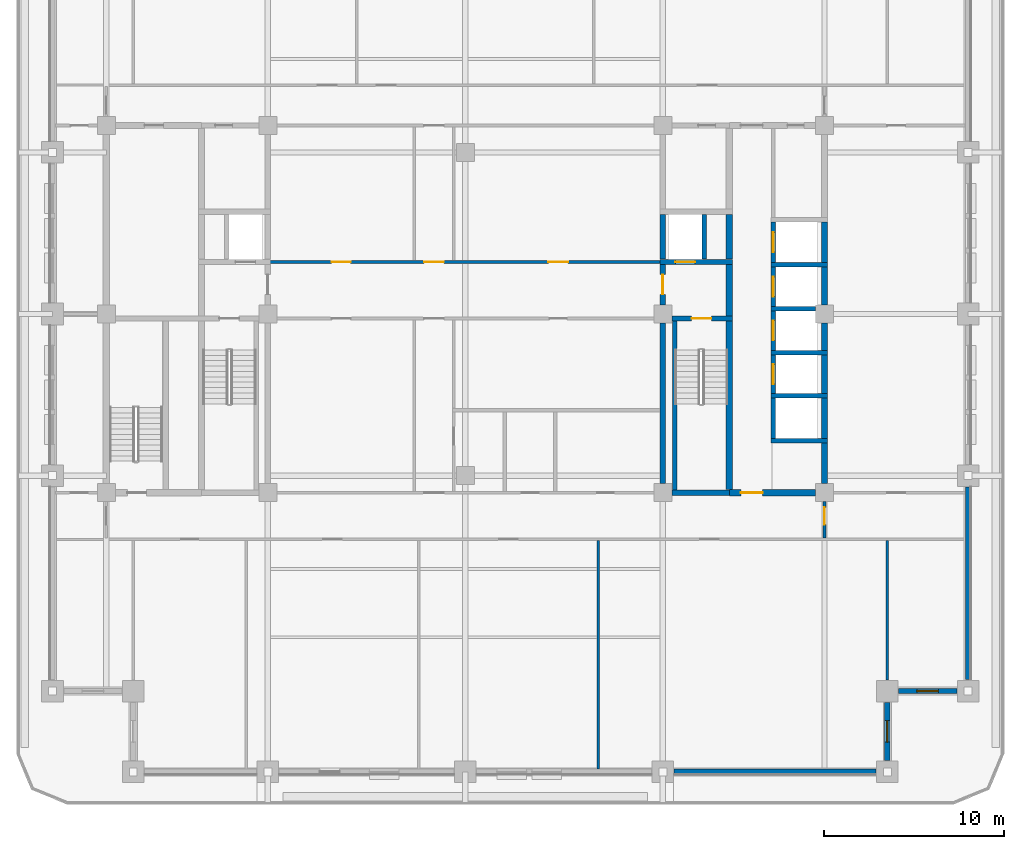
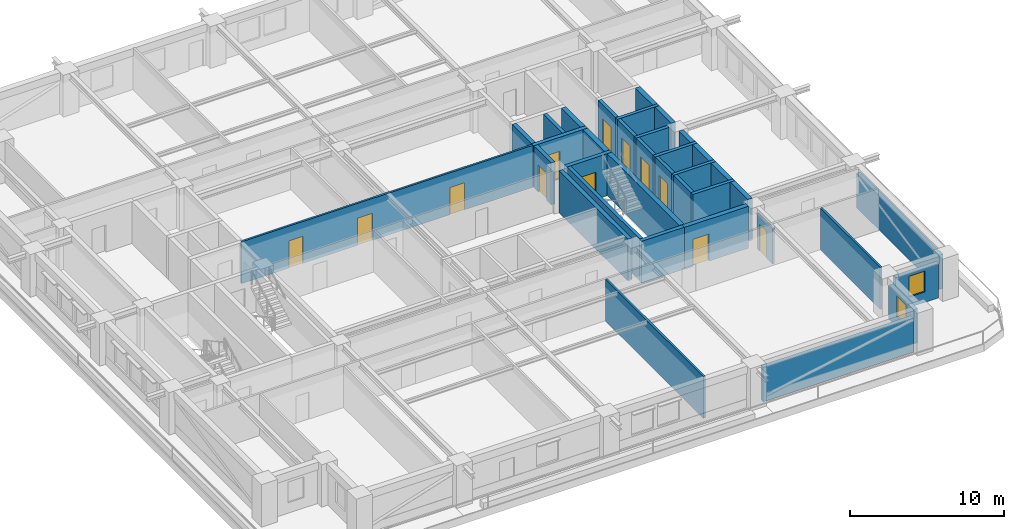
# One storey, part 4 of 13: 36 walls, 12 doors, 2 windows, 14 openings.
"""IFC4 building model written with IfcOpenShell, lengths in metres."""

from ifc_helpers import new_model, si_unit, direction, frame, frame_2d, origin, place, context, subcontext, project, spatial, rectangle, extrude, material, layer, layer_set, type_object, element, fill, save


model = new_model("IFC4")

# Units and contexts
model_context = context("Model", 3, precision=1e-05, world=origin(), true_north=direction((0.0, 1.0)))
body_context = subcontext(model_context, "Body", "Model", "MODEL_VIEW")
ifc_project = project(units=[si_unit("LENGTHUNIT", "METRE"), si_unit("AREAUNIT", "SQUARE_METRE"), si_unit("VOLUMEUNIT", "CUBIC_METRE"), si_unit("PLANEANGLEUNIT", "RADIAN"), si_unit("MASSUNIT", "GRAM", prefix="KILO")], contexts=[model_context])

# Site, building, storey
site_placement = place(None, origin())
site = spatial("IfcSite", under=ifc_project, at=site_placement, CompositionType="ELEMENT")
building_placement = place(site_placement, origin())
building = spatial("IfcBuilding", under=site, at=building_placement, Name="Zulmaris Gate Convention Tower", CompositionType="ELEMENT")
storey_placement = place(building_placement, frame((0.0, 0.0, 91.35986328125)))
storey = spatial("IfcBuildingStorey", under=building, at=storey_placement, Name="L22", CompositionType="ELEMENT", Elevation=91.35986328125)

# Walls
ifc_material_1 = material(Name="Concrete C50/60", Category="concrete")
ifc_layer_1 = layer(ifc_material_1, 0.25, Name="Concrete C50/60")
ifc_layer_set_1 = layer_set([ifc_layer_1], Name="Concrete C50/60")
wall_type_1 = type_object("IfcWallType", Name="CORE-250", PredefinedType="SOLIDWALL", material=ifc_layer_set_1)
for number, where, z_axis, x_axis, name in (
    (1, (17.02490234375, -7.050048828125, 0.0), (0.0, 0.0, 1.0), (1.0, 0.0, 0.0), "WL-L22-005"),
    (2, (17.02490234375, -4.550048828125, 0.0), (0.0, 0.0, 1.0), (1.0, 0.0, 0.0), "WL-L22-006"),
    (3, (17.02490234375, -2.14990234375, 0.0), (0.0, 0.0, 1.0), (1.0, 0.0, 0.0), "WL-L22-007"),
):
    element("IfcWall", number, at=place(storey_placement, frame(where, z_axis=z_axis, x_axis=x_axis)), inside=storey, type_object=wall_type_1, Name=name, PredefinedType="SOLIDWALL", context=body_context, shape_type="SweptSolid", body=[
        extrude(rectangle(XDim=3.150146484375, YDim=0.25, at=frame_2d((1.5751953125, 0.0))), origin(), (0.0, 0.0, 1.0), 3.320068359375),
    ])
wall_1_placement = place(storey_placement, frame((17.02490234375, 0.300048828125, 0.0), z_axis=(0.0, 0.0, 1.0), x_axis=(1.0, 0.0, 0.0)))
element("IfcWall", 4, at=wall_1_placement, inside=storey, type_object=wall_type_1, Name="WL-L22-010", PredefinedType="SOLIDWALL", context=body_context, shape_type="SweptSolid", body=[
    extrude(rectangle(XDim=2.47119140625, YDim=0.25, at=frame_2d((1.235595703125, 0.0))), origin(), (0.0, 0.0, 1.0), 3.320068359375),
])
wall_2_placement = place(storey_placement, frame((17.02490234375, 2.75, 0.0), z_axis=(0.0, 0.0, 1.0), x_axis=(1.0, 0.0, 0.0)))
element("IfcWall", 5, at=wall_2_placement, inside=storey, type_object=wall_type_1, Name="WL-L22-011", PredefinedType="SOLIDWALL", context=body_context, shape_type="SweptSolid", body=[
    extrude(rectangle(XDim=3.150146484375, YDim=0.25, at=frame_2d((1.5751953125, 0.0))), origin(), (0.0, 0.0, 1.0), 3.320068359375),
])
wall_3_placement = place(storey_placement, frame((11.64990234375, -9.798095703125, 0.0), z_axis=(0.0, 0.0, 1.0), x_axis=(0.0, 1.0, 0.0)))
element("IfcWall", 6, at=wall_3_placement, inside=storey, type_object=wall_type_1, Name="WL-L22-050", PredefinedType="SOLIDWALL", context=body_context, shape_type="SweptSolid", body=[
    extrude(rectangle(XDim=9.39599609375, YDim=0.25, at=frame_2d((4.697998046875, 0.0))), origin(), (0.0, 0.0, 1.0), 3.320068359375),
])
wall_4_placement = place(storey_placement, frame((13.300048828125, 3.052001953125, 0.0), z_axis=(0.0, 0.0, 1.0), x_axis=(0.0, 1.0, 0.0)))
element("IfcWall", 7, at=wall_4_placement, inside=storey, type_object=wall_type_1, Name="WL-L22-051", PredefinedType="SOLIDWALL", context=body_context, shape_type="SweptSolid", body=[
    extrude(rectangle(XDim=2.49609375, YDim=0.25, at=frame_2d((1.248046875, 0.0))), origin(), (0.0, 0.0, 1.0), 3.320068359375),
])
wall_5_placement = place(storey_placement, frame((17.14990234375, -6.923095703125, 0.0), z_axis=(0.0, 0.0, 1.0), x_axis=(0.0, 1.0, 0.0)))
element("IfcWall", 8, at=wall_5_placement, inside=storey, type_object=wall_type_1, Name="WL-L22-056", PredefinedType="SOLIDWALL", context=body_context, shape_type="SweptSolid", body=[
    extrude(rectangle(XDim=2.24609375, YDim=0.25, at=frame_2d((1.123046875, 0.0))), origin(), (0.0, 0.0, 1.0), 3.320068359375),
])

# Wall, opening, door
wall_6_placement = place(storey_placement, frame((17.14990234375, -4.423095703125, 0.0), z_axis=(0.0, 0.0, 1.0), x_axis=(0.0, 1.0, 0.0)))
wall_6 = element("IfcWall", 9, at=wall_6_placement, inside=storey, type_object=wall_type_1, Name="WL-L22-057", PredefinedType="SOLIDWALL", context=body_context, shape_type="SweptSolid", body=[
    extrude(rectangle(XDim=2.14599609375, YDim=0.25, at=frame_2d((1.072998046875, 0.0))), origin(), (0.0, 0.0, 1.0), 3.320068359375),
])
opening_1_placement = place(wall_6_placement, frame((0.52294921875, 0.0, 0.0)))
opening_1 = element("IfcOpeningElement", 10, at=opening_1_placement, cuts=wall_6, Name="Opening D-06", PredefinedType="OPENING", context=body_context, shape_type="SweptSolid", body=[
    extrude(rectangle(XDim=1.10009765625, YDim=2.199951171875, at=frame_2d((0.550048828125, 1.10009765625))), frame((0.0, 0.135009765625, 0.0), z_axis=(0.0, -1.0, 0.0), x_axis=(1.0, 0.0, 0.0)), (0.0, 0.0, 1.0), 0.27001953125),
])
ifc_material_2 = material(Name="Brushed Stainless Steel", Category="steel")
door_type_1 = type_object("IfcDoorType", Name="LD-1100", OperationType="NOTDEFINED", PredefinedType="DOOR", material=ifc_material_2)
door_1_placement = place(opening_1_placement, origin())
door_1 = element("IfcDoor", 11, at=door_1_placement, inside=storey, type_object=door_type_1, Name="L22 Lift Landing Door MP-01 11", OperationType="SLIDING_TO_RIGHT", OverallHeight=2.199951171875, OverallWidth=1.10009765625, PredefinedType="DOOR", context=body_context, shape_type="SweptSolid", body=[
    extrude(rectangle(XDim=1.10009765625, YDim=2.199951171875, at=frame_2d((0.550048828125, 1.10009765625))), frame((0.0, 0.02490234375, 0.0), z_axis=(0.0, -1.0, 0.0), x_axis=(1.0, 0.0, 0.0)), (0.0, 0.0, 1.0), 0.050048828125),
])
fill(opening_1, door_1)

wall_7_placement = place(storey_placement, frame((17.14990234375, -2.02294921875, 0.0), z_axis=(0.0, 0.0, 1.0), x_axis=(0.0, 1.0, 0.0)))
wall_7 = element("IfcWall", 12, at=wall_7_placement, inside=storey, type_object=wall_type_1, Name="WL-L22-058", PredefinedType="SOLIDWALL", context=body_context, shape_type="SweptSolid", body=[
    extrude(rectangle(XDim=2.196044921875, YDim=0.25, at=frame_2d((1.09814453125, 0.0))), origin(), (0.0, 0.0, 1.0), 3.320068359375),
])
opening_2_placement = place(wall_7_placement, frame((0.548095703125, 0.0, 0.0)))
opening_2 = element("IfcOpeningElement", 13, at=opening_2_placement, cuts=wall_7, Name="Opening D-06", PredefinedType="OPENING", context=body_context, shape_type="SweptSolid", body=[
    extrude(rectangle(XDim=1.10009765625, YDim=2.199951171875, at=frame_2d((0.550048828125, 1.10009765625))), frame((0.0, 0.135009765625, 0.0), z_axis=(0.0, -1.0, 0.0), x_axis=(1.0, 0.0, 0.0)), (0.0, 0.0, 1.0), 0.27001953125),
])
door_2_placement = place(opening_2_placement, origin())
door_2 = element("IfcDoor", 14, at=door_2_placement, inside=storey, type_object=door_type_1, Name="L22 Lift Landing Door MP-02 12", OperationType="SLIDING_TO_RIGHT", OverallHeight=2.199951171875, OverallWidth=1.10009765625, PredefinedType="DOOR", context=body_context, shape_type="SweptSolid", body=[
    extrude(rectangle(XDim=1.10009765625, YDim=2.199951171875, at=frame_2d((0.550048828125, 1.10009765625))), frame((0.0, 0.02490234375, 0.0), z_axis=(0.0, -1.0, 0.0), x_axis=(1.0, 0.0, 0.0)), (0.0, 0.0, 1.0), 0.050048828125),
])
fill(opening_2, door_2)

wall_8_placement = place(storey_placement, frame((17.14990234375, 0.427001953125, 0.0), z_axis=(0.0, 0.0, 1.0), x_axis=(0.0, 1.0, 0.0)))
wall_8 = element("IfcWall", 15, at=wall_8_placement, inside=storey, type_object=wall_type_1, Name="WL-L22-059", PredefinedType="SOLIDWALL", context=body_context, shape_type="SweptSolid", body=[
    extrude(rectangle(XDim=2.196044921875, YDim=0.25, at=frame_2d((1.09814453125, 0.0))), origin(), (0.0, 0.0, 1.0), 3.320068359375),
])
opening_3_placement = place(wall_8_placement, frame((0.548095703125, 0.0, 0.0)))
opening_3 = element("IfcOpeningElement", 16, at=opening_3_placement, cuts=wall_8, Name="Opening D-06", PredefinedType="OPENING", context=body_context, shape_type="SweptSolid", body=[
    extrude(rectangle(XDim=1.10009765625, YDim=2.199951171875, at=frame_2d((0.550048828125, 1.10009765625))), frame((0.0, 0.135009765625, 0.0), z_axis=(0.0, -1.0, 0.0), x_axis=(1.0, 0.0, 0.0)), (0.0, 0.0, 1.0), 0.27001953125),
])
door_3_placement = place(opening_3_placement, origin())
door_3 = element("IfcDoor", 17, at=door_3_placement, inside=storey, type_object=door_type_1, Name="L22 Lift Landing Door MP-03 13", OperationType="SLIDING_TO_RIGHT", OverallHeight=2.199951171875, OverallWidth=1.10009765625, PredefinedType="DOOR", context=body_context, shape_type="SweptSolid", body=[
    extrude(rectangle(XDim=1.10009765625, YDim=2.199951171875, at=frame_2d((0.550048828125, 1.10009765625))), frame((0.0, 0.02490234375, 0.0), z_axis=(0.0, -1.0, 0.0), x_axis=(1.0, 0.0, 0.0)), (0.0, 0.0, 1.0), 0.050048828125),
])
fill(opening_3, door_3)

wall_9_placement = place(storey_placement, frame((17.14990234375, 2.876953125, 0.0), z_axis=(0.0, 0.0, 1.0), x_axis=(0.0, 1.0, 0.0)))
wall_9 = element("IfcWall", 18, at=wall_9_placement, inside=storey, type_object=wall_type_1, Name="WL-L22-060", PredefinedType="SOLIDWALL", context=body_context, shape_type="SweptSolid", body=[
    extrude(rectangle(XDim=2.24609375, YDim=0.25, at=frame_2d((1.123046875, 0.0))), origin(), (0.0, 0.0, 1.0), 3.320068359375),
])
opening_4_placement = place(wall_9_placement, frame((0.572998046875, 0.0, 0.0)))
opening_4 = element("IfcOpeningElement", 19, at=opening_4_placement, cuts=wall_9, Name="Opening D-06", PredefinedType="OPENING", context=body_context, shape_type="SweptSolid", body=[
    extrude(rectangle(XDim=1.10009765625, YDim=2.199951171875, at=frame_2d((0.550048828125, 1.10009765625))), frame((0.0, 0.135009765625, 0.0), z_axis=(0.0, -1.0, 0.0), x_axis=(1.0, 0.0, 0.0)), (0.0, 0.0, 1.0), 0.27001953125),
])
door_4_placement = place(opening_4_placement, origin())
door_4 = element("IfcDoor", 20, at=door_4_placement, inside=storey, type_object=door_type_1, Name="L22 Lift Landing Door MP-04 14", OperationType="SLIDING_TO_RIGHT", OverallHeight=2.199951171875, OverallWidth=1.10009765625, PredefinedType="DOOR", context=body_context, shape_type="SweptSolid", body=[
    extrude(rectangle(XDim=1.10009765625, YDim=2.199951171875, at=frame_2d((0.550048828125, 1.10009765625))), frame((0.0, 0.02490234375, 0.0), z_axis=(0.0, -1.0, 0.0), x_axis=(1.0, 0.0, 0.0)), (0.0, 0.0, 1.0), 0.050048828125),
])
fill(opening_4, door_4)

# Wall
ifc_layer_2 = layer(ifc_material_1, 0.300048828125, Name="Concrete C50/60")
ifc_layer_set_2 = layer_set([ifc_layer_2], Name="Concrete C50/60")
wall_type_2 = type_object("IfcWallType", Name="CORE-300", PredefinedType="SHEAR", material=ifc_layer_set_2)
wall_10_placement = place(storey_placement, frame((11.50390625, -9.949951171875, 0.0), z_axis=(0.0, 0.0, 1.0), x_axis=(1.0, 0.0, 0.0)))
element("IfcWall", 21, at=wall_10_placement, inside=storey, type_object=wall_type_2, Name="WL-L22-003", PredefinedType="SHEAR", context=body_context, shape_type="SweptSolid", body=[
    extrude(rectangle(XDim=3.196044921875, YDim=0.300048828125, at=frame_2d((1.59814453125, 0.0))), origin(), (0.0, 0.0, 1.0), 3.320068359375),
])

# Wall, opening, door
wall_11_placement = place(storey_placement, frame((11.50390625, -0.25, 0.0), z_axis=(0.0, 0.0, 1.0), x_axis=(1.0, 0.0, 0.0)))
wall_11 = element("IfcWall", 22, at=wall_11_placement, inside=storey, type_object=wall_type_2, Name="WL-L22-009", PredefinedType="SHEAR", context=body_context, shape_type="SweptSolid", body=[
    extrude(rectangle(XDim=3.37109375, YDim=0.300048828125, at=frame_2d((1.685546875, 0.0))), origin(), (0.0, 0.0, 1.0), 3.320068359375),
])
opening_5_placement = place(wall_11_placement, frame((1.095947265625, 0.0, 0.0)))
opening_5 = element("IfcOpeningElement", 23, at=opening_5_placement, cuts=wall_11, Name="Opening D-08", PredefinedType="OPENING", context=body_context, shape_type="SweptSolid", body=[
    extrude(rectangle(XDim=1.10009765625, YDim=2.14990234375, at=frame_2d((0.550048828125, 1.074951171875))), frame((0.0, 0.16015625, 0.0), z_axis=(0.0, -1.0, 0.0), x_axis=(1.0, 0.0, 0.0)), (0.0, 0.0, 1.0), 0.320068359375),
])
ifc_material_3 = material(Name="Fire-Rated Steel", Category="steel")
door_type_2 = type_object("IfcDoorType", Name="DR-1100-FD", OperationType="NOTDEFINED", PredefinedType="DOOR", material=ifc_material_3)
door_5_placement = place(opening_5_placement, origin())
door_5 = element("IfcDoor", 24, at=door_5_placement, inside=storey, type_object=door_type_2, Name="L22 Exit Stair ST-2 Door 04", OperationType="SINGLE_SWING_LEFT", OverallHeight=2.14990234375, OverallWidth=1.10009765625, PredefinedType="DOOR", context=body_context, shape_type="SweptSolid", body=[
    extrude(rectangle(XDim=1.10009765625, YDim=2.14990234375, at=frame_2d((0.550048828125, 1.074951171875))), frame((0.0, 0.02490234375, 0.0), z_axis=(0.0, -1.0, 0.0), x_axis=(1.0, 0.0, 0.0)), (0.0, 0.0, 1.0), 0.050048828125),
])
fill(opening_5, door_5)

wall_12_placement = place(storey_placement, frame((10.85009765625, 2.89990234375, 0.0), z_axis=(0.0, 0.0, 1.0), x_axis=(1.0, 0.0, 0.0)))
wall_12 = element("IfcWall", 25, at=wall_12_placement, inside=storey, type_object=wall_type_2, Name="WL-L22-013", PredefinedType="SHEAR", context=body_context, shape_type="SweptSolid", body=[
    extrude(rectangle(XDim=4.02490234375, YDim=0.300048828125, at=frame_2d((2.012451171875, 0.0))), origin(), (0.0, 0.0, 1.0), 3.320068359375),
])
opening_6_placement = place(wall_12_placement, frame((0.85009765625, 0.0, 0.0)))
opening_6 = element("IfcOpeningElement", 26, at=opening_6_placement, cuts=wall_12, Name="Opening D-06", PredefinedType="OPENING", context=body_context, shape_type="SweptSolid", body=[
    extrude(rectangle(XDim=1.10009765625, YDim=2.199951171875, at=frame_2d((0.550048828125, 1.10009765625))), frame((0.0, 0.16015625, 0.0), z_axis=(0.0, -1.0, 0.0), x_axis=(1.0, 0.0, 0.0)), (0.0, 0.0, 1.0), 0.320068359375),
])
door_6_placement = place(opening_6_placement, origin())
door_6 = element("IfcDoor", 27, at=door_6_placement, inside=storey, type_object=door_type_1, Name="L22 Lift Landing Door LF-02 06", OperationType="SLIDING_TO_RIGHT", OverallHeight=2.199951171875, OverallWidth=1.10009765625, PredefinedType="DOOR", context=body_context, shape_type="SweptSolid", body=[
    extrude(rectangle(XDim=1.10009765625, YDim=2.199951171875, at=frame_2d((0.550048828125, 1.10009765625))), frame((0.0, 0.02490234375, 0.0), z_axis=(0.0, -1.0, 0.0), x_axis=(1.0, 0.0, 0.0)), (0.0, 0.0, 1.0), 0.050048828125),
])
fill(opening_6, door_6)

# Wall
wall_13_placement = place(storey_placement, frame((11.0, -9.446044921875, 0.0), z_axis=(0.0, 0.0, 1.0), x_axis=(0.0, 1.0, 0.0)))
element("IfcWall", 28, at=wall_13_placement, inside=storey, type_object=wall_type_2, Name="WL-L22-046", PredefinedType="SHEAR", context=body_context, shape_type="SweptSolid", body=[
    extrude(rectangle(XDim=8.942138671875, YDim=0.300048828125, at=frame_2d((4.47119140625, 0.0))), origin(), (0.0, 0.0, 1.0), 3.320068359375),
])

# Wall, opening, door
wall_14_placement = place(storey_placement, frame((11.0, 0.50390625, 0.0), z_axis=(0.0, 0.0, 1.0), x_axis=(0.0, 1.0, 0.0)))
wall_14 = element("IfcWall", 29, at=wall_14_placement, inside=storey, type_object=wall_type_2, Name="WL-L22-047", PredefinedType="SHEAR", context=body_context, shape_type="SweptSolid", body=[
    extrude(rectangle(XDim=2.244140625, YDim=0.300048828125, at=frame_2d((1.1220703125, 0.0))), origin(), (0.0, 0.0, 1.0), 3.320068359375),
])
opening_7_placement = place(wall_14_placement, frame((0.595947265625, 0.0, 0.0)))
opening_7 = element("IfcOpeningElement", 30, at=opening_7_placement, cuts=wall_14, Name="Opening D-08", PredefinedType="OPENING", context=body_context, shape_type="SweptSolid", body=[
    extrude(rectangle(XDim=1.10009765625, YDim=2.14990234375, at=frame_2d((0.550048828125, 1.074951171875))), frame((0.0, 0.16015625, 0.0), z_axis=(0.0, -1.0, 0.0), x_axis=(1.0, 0.0, 0.0)), (0.0, 0.0, 1.0), 0.320068359375),
])
door_7_placement = place(opening_7_placement, origin())
door_7 = element("IfcDoor", 31, at=door_7_placement, inside=storey, type_object=door_type_2, Name="L22 East Firefighting Lobby Door 05", OperationType="SINGLE_SWING_RIGHT", OverallHeight=2.14990234375, OverallWidth=1.10009765625, PredefinedType="DOOR", context=body_context, shape_type="SweptSolid", body=[
    extrude(rectangle(XDim=1.10009765625, YDim=2.14990234375, at=frame_2d((0.550048828125, 1.074951171875))), frame((0.0, 0.02490234375, 0.0), z_axis=(0.0, -1.0, 0.0), x_axis=(1.0, 0.0, 0.0)), (0.0, 0.0, 1.0), 0.050048828125),
])
fill(opening_7, door_7)

# Wall
wall_15_placement = place(storey_placement, frame((11.0, 3.052001953125, 0.0), z_axis=(0.0, 0.0, 1.0), x_axis=(0.0, 1.0, 0.0)))
element("IfcWall", 32, at=wall_15_placement, inside=storey, type_object=wall_type_2, Name="WL-L22-048", PredefinedType="SHEAR", context=body_context, shape_type="SweptSolid", body=[
    extrude(rectangle(XDim=2.49609375, YDim=0.300048828125, at=frame_2d((1.248046875, 0.0))), origin(), (0.0, 0.0, 1.0), 3.320068359375),
])

# Wall, opening, door
ifc_material_4 = material(Name="Concrete C55/67", Category="concrete")
ifc_layer_3 = layer(ifc_material_4, 0.35009765625, Name="Concrete C55/67")
ifc_layer_set_3 = layer_set([ifc_layer_3], Name="Concrete C55/67")
wall_type_3 = type_object("IfcWallType", Name="CORE-350", PredefinedType="SHEAR", material=ifc_layer_set_3)
wall_16_placement = place(storey_placement, frame((14.699951171875, -9.949951171875, 0.0), z_axis=(0.0, 0.0, 1.0), x_axis=(1.0, 0.0, 0.0)))
wall_16 = element("IfcWall", 33, at=wall_16_placement, inside=storey, type_object=wall_type_3, Name="WL-L22-004", PredefinedType="SHEAR", context=body_context, shape_type="SweptSolid", body=[
    extrude(rectangle(XDim=4.796142578125, YDim=0.35009765625, at=frame_2d((2.39794921875, 0.0))), origin(), (0.0, 0.0, 1.0), 3.320068359375),
])
opening_8_placement = place(wall_16_placement, frame((0.64990234375, 0.0, 0.0)))
opening_8 = element("IfcOpeningElement", 34, at=opening_8_placement, cuts=wall_16, Name="Opening D-13", PredefinedType="OPENING", context=body_context, shape_type="SweptSolid", body=[
    extrude(rectangle(XDim=1.199951171875, YDim=2.14990234375, at=frame_2d((0.60009765625, 1.074951171875))), frame((0.0, 0.18505859375, 0.0), z_axis=(0.0, -1.0, 0.0), x_axis=(1.0, 0.0, 0.0)), (0.0, 0.0, 1.0), 0.3701171875),
])
door_type_3 = type_object("IfcDoorType", Name="DR-1200-FD", OperationType="NOTDEFINED", PredefinedType="DOOR", material=ifc_material_3)
door_8_placement = place(opening_8_placement, origin())
door_8 = element("IfcDoor", 35, at=door_8_placement, inside=storey, type_object=door_type_3, Name="L22 East Lift Lobby South Door 15", OperationType="SINGLE_SWING_LEFT", OverallHeight=2.14990234375, OverallWidth=1.199951171875, PredefinedType="DOOR", context=body_context, shape_type="SweptSolid", body=[
    extrude(rectangle(XDim=1.199951171875, YDim=2.14990234375, at=frame_2d((0.60009765625, 1.074951171875))), frame((0.0, 0.02490234375, 0.0), z_axis=(0.0, -1.0, 0.0), x_axis=(1.0, 0.0, 0.0)), (0.0, 0.0, 1.0), 0.050048828125),
])
fill(opening_8, door_8)

# Walls
wall_17_placement = place(storey_placement, frame((14.699951171875, -9.77294921875, 0.0), z_axis=(0.0, 0.0, 1.0), x_axis=(0.0, 1.0, 0.0)))
element("IfcWall", 36, at=wall_17_placement, inside=storey, type_object=wall_type_3, Name="WL-L22-052", PredefinedType="SHEAR", context=body_context, shape_type="SweptSolid", body=[
    extrude(rectangle(XDim=9.370849609375, YDim=0.35009765625, at=frame_2d((4.685546875, 0.0))), origin(), (0.0, 0.0, 1.0), 3.320068359375),
])
wall_18_placement = place(storey_placement, frame((14.699951171875, -0.097900390625, 0.0), z_axis=(0.0, 0.0, 1.0), x_axis=(0.0, 1.0, 0.0)))
element("IfcWall", 37, at=wall_18_placement, inside=storey, type_object=wall_type_3, Name="WL-L22-053", PredefinedType="SHEAR", context=body_context, shape_type="SweptSolid", body=[
    extrude(rectangle(XDim=2.845947265625, YDim=0.35009765625, at=frame_2d((1.4228515625, 0.0))), origin(), (0.0, 0.0, 1.0), 3.320068359375),
])
wall_19_placement = place(storey_placement, frame((14.699951171875, 3.052001953125, 0.0), z_axis=(0.0, 0.0, 1.0), x_axis=(0.0, 1.0, 0.0)))
element("IfcWall", 38, at=wall_19_placement, inside=storey, type_object=wall_type_3, Name="WL-L22-054", PredefinedType="SHEAR", context=body_context, shape_type="SweptSolid", body=[
    extrude(rectangle(XDim=2.49609375, YDim=0.35009765625, at=frame_2d((1.248046875, 0.0))), origin(), (0.0, 0.0, 1.0), 3.320068359375),
])
wall_20_placement = place(storey_placement, frame((20.0, -9.446044921875, 0.0), z_axis=(0.0, 0.0, 1.0), x_axis=(0.0, 1.0, 0.0)))
element("IfcWall", 39, at=wall_20_placement, inside=storey, type_object=wall_type_3, Name="WL-L22-061", PredefinedType="SHEAR", context=body_context, shape_type="SweptSolid", body=[
    extrude(rectangle(XDim=2.26904296875, YDim=0.35009765625, at=frame_2d((1.134521484375, 0.0))), origin(), (0.0, 0.0, 1.0), 3.320068359375),
])
wall_21_placement = place(storey_placement, frame((20.0, -6.923095703125, 0.0), z_axis=(0.0, 0.0, 1.0), x_axis=(0.0, 1.0, 0.0)))
element("IfcWall", 40, at=wall_21_placement, inside=storey, type_object=wall_type_3, Name="WL-L22-062", PredefinedType="SHEAR", context=body_context, shape_type="SweptSolid", body=[
    extrude(rectangle(XDim=2.24609375, YDim=0.35009765625, at=frame_2d((1.123046875, 0.0))), origin(), (0.0, 0.0, 1.0), 3.320068359375),
])
wall_22_placement = place(storey_placement, frame((20.0, -4.423095703125, 0.0), z_axis=(0.0, 0.0, 1.0), x_axis=(0.0, 1.0, 0.0)))
element("IfcWall", 41, at=wall_22_placement, inside=storey, type_object=wall_type_3, Name="WL-L22-063", PredefinedType="SHEAR", context=body_context, shape_type="SweptSolid", body=[
    extrude(rectangle(XDim=2.14599609375, YDim=0.35009765625, at=frame_2d((1.072998046875, 0.0))), origin(), (0.0, 0.0, 1.0), 3.320068359375),
])
wall_23_placement = place(storey_placement, frame((20.0, -2.02294921875, 0.0), z_axis=(0.0, 0.0, 1.0), x_axis=(0.0, 1.0, 0.0)))
element("IfcWall", 42, at=wall_23_placement, inside=storey, type_object=wall_type_3, Name="WL-L22-064", PredefinedType="SHEAR", context=body_context, shape_type="SweptSolid", body=[
    extrude(rectangle(XDim=1.51904296875, YDim=0.35009765625, at=frame_2d((0.759521484375, 0.0))), origin(), (0.0, 0.0, 1.0), 3.320068359375),
])
wall_24_placement = place(storey_placement, frame((20.0, 0.50390625, 0.0), z_axis=(0.0, 0.0, 1.0), x_axis=(0.0, 1.0, 0.0)))
element("IfcWall", 43, at=wall_24_placement, inside=storey, type_object=wall_type_3, Name="WL-L22-065", PredefinedType="SHEAR", context=body_context, shape_type="SweptSolid", body=[
    extrude(rectangle(XDim=2.119140625, YDim=0.35009765625, at=frame_2d((1.0595703125, 0.0))), origin(), (0.0, 0.0, 1.0), 3.320068359375),
])
wall_25_placement = place(storey_placement, frame((20.0, 2.876953125, 0.0), z_axis=(0.0, 0.0, 1.0), x_axis=(0.0, 1.0, 0.0)))
element("IfcWall", 44, at=wall_25_placement, inside=storey, type_object=wall_type_3, Name="WL-L22-066", PredefinedType="SHEAR", context=body_context, shape_type="SweptSolid", body=[
    extrude(rectangle(XDim=2.24609375, YDim=0.35009765625, at=frame_2d((1.123046875, 0.0))), origin(), (0.0, 0.0, 1.0), 3.320068359375),
])

# Wall, openings, doors
ifc_material_5 = material(Name="Gypsum Metal Stud Partition")
ifc_layer_4 = layer(ifc_material_5, 0.14990234375, Name="Gypsum Metal Stud Partition")
ifc_layer_set_4 = layer_set([ifc_layer_4], Name="Gypsum Metal Stud Partition")
wall_type_4 = type_object("IfcWallType", Name="PART-150", PredefinedType="PARTITIONING", material=ifc_layer_set_4)
wall_26_placement = place(storey_placement, frame((-11.0, 2.89990234375, 0.0), z_axis=(0.0, 0.0, 1.0), x_axis=(1.0, 0.0, 0.0)))
wall_26 = element("IfcWall", 45, at=wall_26_placement, inside=storey, type_object=wall_type_4, Name="WL-L22-028", PredefinedType="PARTITIONING", context=body_context, shape_type="SweptSolid", body=[
    extrude(rectangle(XDim=22.0, YDim=0.14990234375, at=frame_2d((11.0, 0.0))), origin(), (0.0, 0.0, 1.0), 3.320068359375),
])
opening_9_placement = place(wall_26_placement, frame((8.699951171875, 0.0, 0.0)))
opening_9 = element("IfcOpeningElement", 46, at=opening_9_placement, cuts=wall_26, Name="Opening D-08", PredefinedType="OPENING", context=body_context, shape_type="SweptSolid", body=[
    extrude(rectangle(XDim=1.10009765625, YDim=2.14990234375, at=frame_2d((0.550048828125, 1.074951171875))), frame((0.0, 0.0849609375, 0.0), z_axis=(0.0, -1.0, 0.0), x_axis=(1.0, 0.0, 0.0)), (0.0, 0.0, 1.0), 0.169921875),
])
opening_10_placement = place(wall_26_placement, frame((3.554931640625, 0.0, 0.0)))
opening_10 = element("IfcOpeningElement", 47, at=opening_10_placement, cuts=wall_26, Name="Opening D-09", PredefinedType="OPENING", context=body_context, shape_type="SweptSolid", body=[
    extrude(rectangle(XDim=1.050048828125, YDim=2.14990234375, at=frame_2d((0.52490234375, 1.074951171875))), frame((0.0, 0.0849609375, 0.0), z_axis=(0.0, -1.0, 0.0), x_axis=(1.0, 0.0, 0.0)), (0.0, 0.0, 1.0), 0.169921875),
])
opening_11_placement = place(wall_26_placement, frame((15.6201171875, 0.0, 0.0)))
opening_11 = element("IfcOpeningElement", 48, at=opening_11_placement, cuts=wall_26, Name="Opening D-08", PredefinedType="OPENING", context=body_context, shape_type="SweptSolid", body=[
    extrude(rectangle(XDim=1.10009765625, YDim=2.14990234375, at=frame_2d((0.550048828125, 1.074951171875))), frame((0.0, 0.0849609375, 0.0), z_axis=(0.0, -1.0, 0.0), x_axis=(1.0, 0.0, 0.0)), (0.0, 0.0, 1.0), 0.169921875),
])
door_type_4 = type_object("IfcDoorType", Name="DR-1050-FD", OperationType="NOTDEFINED", PredefinedType="DOOR", material=ifc_material_3)
door_9_placement = place(opening_10_placement, origin())
door_9 = element("IfcDoor", 49, at=door_9_placement, inside=storey, type_object=door_type_4, Name="L22 Reception Door 29", OperationType="SINGLE_SWING_LEFT", OverallHeight=2.14990234375, OverallWidth=1.050048828125, PredefinedType="DOOR", context=body_context, shape_type="SweptSolid", body=[
    extrude(rectangle(XDim=1.050048828125, YDim=2.14990234375, at=frame_2d((0.52490234375, 1.074951171875))), frame((0.0, 0.02490234375, 0.0), z_axis=(0.0, -1.0, 0.0), x_axis=(1.0, 0.0, 0.0)), (0.0, 0.0, 1.0), 0.050048828125),
])
fill(opening_10, door_9)
door_10_placement = place(opening_9_placement, origin())
door_10 = element("IfcDoor", 50, at=door_10_placement, inside=storey, type_object=door_type_2, Name="L22 Cross Spine North Door 20", OperationType="SINGLE_SWING_RIGHT", OverallHeight=2.14990234375, OverallWidth=1.10009765625, PredefinedType="DOOR", context=body_context, shape_type="SweptSolid", body=[
    extrude(rectangle(XDim=1.10009765625, YDim=2.14990234375, at=frame_2d((0.550048828125, 1.074951171875))), frame((0.0, 0.02490234375, 0.0), z_axis=(0.0, -1.0, 0.0), x_axis=(1.0, 0.0, 0.0)), (0.0, 0.0, 1.0), 0.050048828125),
])
fill(opening_9, door_10)
door_11_placement = place(opening_11_placement, origin())
door_11 = element("IfcDoor", 51, at=door_11_placement, inside=storey, type_object=door_type_2, Name="L22 Townhall Forum Door 30", OperationType="SINGLE_SWING_RIGHT", OverallHeight=2.14990234375, OverallWidth=1.10009765625, PredefinedType="DOOR", context=body_context, shape_type="SweptSolid", body=[
    extrude(rectangle(XDim=1.10009765625, YDim=2.14990234375, at=frame_2d((0.550048828125, 1.074951171875))), frame((0.0, 0.02490234375, 0.0), z_axis=(0.0, -1.0, 0.0), x_axis=(1.0, 0.0, 0.0)), (0.0, 0.0, 1.0), 0.050048828125),
])
fill(opening_11, door_11)

# Wall
wall_27_placement = place(storey_placement, frame((7.39990234375, -25.3349609375, 0.0), z_axis=(0.0, 0.0, 1.0), x_axis=(0.0, 1.0, 0.0)))
element("IfcWall", 52, at=wall_27_placement, inside=storey, type_object=wall_type_4, Name="WL-L22-083", PredefinedType="PARTITIONING", context=body_context, shape_type="SweptSolid", body=[
    extrude(rectangle(XDim=12.70703125, YDim=0.14990234375, at=frame_2d((6.353515625, 0.0))), origin(), (0.0, 0.0, 1.0), 3.320068359375),
])

# Wall, opening, door
wall_28_placement = place(storey_placement, frame((20.0, -12.471923828125, 0.0), z_axis=(0.0, 0.0, 1.0), x_axis=(0.0, 1.0, 0.0)))
wall_28 = element("IfcWall", 53, at=wall_28_placement, inside=storey, type_object=wall_type_4, Name="WL-L22-085", PredefinedType="PARTITIONING", context=body_context, shape_type="SweptSolid", body=[
    extrude(rectangle(XDim=2.015869140625, YDim=0.14990234375, at=frame_2d((1.0078125, 0.0))), origin(), (0.0, 0.0, 1.0), 2.81005859375),
])
opening_12_placement = place(wall_28_placement, frame((0.7470703125, 0.0, 0.0)))
opening_12 = element("IfcOpeningElement", 54, at=opening_12_placement, cuts=wall_28, Name="Opening D-11", PredefinedType="OPENING", context=body_context, shape_type="SweptSolid", body=[
    extrude(rectangle(XDim=0.949951171875, YDim=2.14990234375, at=frame_2d((0.47509765625, 1.074951171875))), frame((0.0, 0.0849609375, 0.0), z_axis=(0.0, -1.0, 0.0), x_axis=(1.0, 0.0, 0.0)), (0.0, 0.0, 1.0), 0.169921875),
])
ifc_material_6 = material(Name="Fire-Rated Timber", Category="wood")
door_type_5 = type_object("IfcDoorType", Name="DR-950-FD", OperationType="NOTDEFINED", PredefinedType="DOOR", material=ifc_material_6)
door_12_placement = place(opening_12_placement, origin())
door_12 = element("IfcDoor", 55, at=door_12_placement, inside=storey, type_object=door_type_5, Name="L22 SE Spur Door 41", OperationType="SINGLE_SWING_LEFT", OverallHeight=2.14990234375, OverallWidth=0.949951171875, PredefinedType="DOOR", context=body_context, shape_type="SweptSolid", body=[
    extrude(rectangle(XDim=0.949951171875, YDim=2.14990234375, at=frame_2d((0.47509765625, 1.074951171875))), frame((0.0, 0.02490234375, 0.0), z_axis=(0.0, -1.0, 0.0), x_axis=(1.0, 0.0, 0.0)), (0.0, 0.0, 1.0), 0.050048828125),
])
fill(opening_12, door_12)

# Wall
wall_29_placement = place(storey_placement, frame((23.5, -20.39404296875, 0.0), z_axis=(0.0, 0.0, 1.0), x_axis=(0.0, 1.0, 0.0)))
element("IfcWall", 56, at=wall_29_placement, inside=storey, type_object=wall_type_4, Name="WL-L22-087", PredefinedType="PARTITIONING", context=body_context, shape_type="SweptSolid", body=[
    extrude(rectangle(XDim=7.76611328125, YDim=0.14990234375, at=frame_2d((3.883056640625, 0.0))), origin(), (0.0, 0.0, 1.0), 3.320068359375),
])

# Wall, opening, window
ifc_material_7 = material(Name="Precast concrete C40/50", Category="concrete")
ifc_layer_5 = layer(ifc_material_7, 0.300048828125, Name="Precast concrete C40/50")
ifc_layer_set_5 = layer_set([ifc_layer_5], Name="Precast concrete C40/50")
wall_type_5 = type_object("IfcWallType", Name="PRECAST-PIER-300", PredefinedType="STANDARD", material=ifc_layer_set_5)
wall_30_placement = place(storey_placement, frame((23.5, -24.8701171875, 0.0), z_axis=(0.0, 0.0, 1.0), x_axis=(0.0, 1.0, 0.0)))
wall_30 = element("IfcWall", 57, at=wall_30_placement, inside=storey, type_object=wall_type_5, Name="EW-L22-NOTCH-SE1_0", PredefinedType="STANDARD", context=body_context, shape_type="SweptSolid", body=[
    extrude(rectangle(XDim=3.240234375, YDim=0.300048828125, at=frame_2d((1.6201171875, 0.0))), origin(), (0.0, 0.0, 1.0), 2.712158203125),
])
opening_13_placement = place(wall_30_placement, frame((1.02001953125, 0.0, 0.820068359375)))
opening_13 = element("IfcOpeningElement", 58, at=opening_13_placement, cuts=wall_30, Name="Opening W-04", PredefinedType="OPENING", context=body_context, shape_type="SweptSolid", body=[
    extrude(rectangle(XDim=1.199951171875, YDim=1.64990234375, at=frame_2d((0.60009765625, 0.824951171875))), frame((0.0, 0.16015625, 0.0), z_axis=(0.0, -1.0, 0.0), x_axis=(1.0, 0.0, 0.0)), (0.0, 0.0, 1.0), 0.320068359375),
])
ifc_material_8 = material(Name="Low-E Laminated Double Glazing in Aluminium Frame", Category="aluminium")
window_type = type_object("IfcWindowType", Name="WIN-1200x2100", PartitioningType="SINGLE_PANEL", PredefinedType="WINDOW", material=ifc_material_8)
window_1_placement = place(opening_13_placement, origin())
window_1 = element("IfcWindow", 59, at=window_1_placement, inside=storey, type_object=window_type, Name="WN-EW-L22-NOTCH-SE1_0", OverallHeight=1.64990234375, OverallWidth=1.199951171875, PartitioningType="SINGLE_PANEL", PredefinedType="WINDOW", context=body_context, shape_type="SweptSolid", body=[
    extrude(rectangle(XDim=1.199951171875, YDim=1.64990234375, at=frame_2d((0.60009765625, 0.824951171875))), frame((0.0, 0.030029296875, 0.0), z_axis=(0.0, -1.0, 0.0), x_axis=(1.0, 0.0, 0.0)), (0.0, 0.0, 1.0), 0.06005859375),
])
fill(opening_13, window_1)

wall_31_placement = place(storey_placement, frame((24.1298828125, -21.0, 0.0), z_axis=(0.0, 0.0, 1.0), x_axis=(1.0, 0.0, 0.0)))
wall_31 = element("IfcWall", 60, at=wall_31_placement, inside=storey, type_object=wall_type_5, Name="EW-L22-NOTCH-SE2_0", PredefinedType="STANDARD", context=body_context, shape_type="SweptSolid", body=[
    extrude(rectangle(XDim=3.240234375, YDim=0.300048828125, at=frame_2d((1.6201171875, 0.0))), origin(), (0.0, 0.0, 1.0), 2.712158203125),
])
opening_14_placement = place(wall_31_placement, frame((1.02001953125, 0.0, 0.820068359375)))
opening_14 = element("IfcOpeningElement", 61, at=opening_14_placement, cuts=wall_31, Name="Opening W-04", PredefinedType="OPENING", context=body_context, shape_type="SweptSolid", body=[
    extrude(rectangle(XDim=1.199951171875, YDim=1.64990234375, at=frame_2d((0.60009765625, 0.824951171875))), frame((0.0, 0.16015625, 0.0), z_axis=(0.0, -1.0, 0.0), x_axis=(1.0, 0.0, 0.0)), (0.0, 0.0, 1.0), 0.320068359375),
])
window_2_placement = place(opening_14_placement, origin())
window_2 = element("IfcWindow", 62, at=window_2_placement, inside=storey, type_object=window_type, Name="WN-EW-L22-NOTCH-SE2_0", OverallHeight=1.64990234375, OverallWidth=1.199951171875, PartitioningType="SINGLE_PANEL", PredefinedType="WINDOW", context=body_context, shape_type="SweptSolid", body=[
    extrude(rectangle(XDim=1.199951171875, YDim=1.64990234375, at=frame_2d((0.60009765625, 0.824951171875))), frame((0.0, 0.030029296875, 0.0), z_axis=(0.0, -1.0, 0.0), x_axis=(1.0, 0.0, 0.0)), (0.0, 0.0, 1.0), 0.06005859375),
])
fill(opening_14, window_2)

# Walls
wall_32_placement = place(storey_placement, frame((11.6298828125, -25.5, 0.0), z_axis=(0.0, 0.0, 1.0), x_axis=(1.0, 0.0, 0.0)))
element("IfcWall", 63, at=wall_32_placement, inside=storey, type_object=wall_type_5, Name="EW-L22-S-3_0", PredefinedType="STANDARD", context=body_context, shape_type="SweptSolid", body=[
    extrude(rectangle(XDim=11.240234375, YDim=0.300048828125, at=frame_2d((5.6201171875, 0.0))), origin(), (0.0, 0.0, 1.0), 2.712158203125),
])
wall_33_placement = place(storey_placement, frame((28.0, -20.3701171875, 0.0), z_axis=(0.0, 0.0, 1.0), x_axis=(0.0, 1.0, 0.0)))
element("IfcWall", 64, at=wall_33_placement, inside=storey, type_object=wall_type_5, Name="EW-L22-E-0_0", PredefinedType="STANDARD", context=body_context, shape_type="SweptSolid", body=[
    extrude(rectangle(XDim=10.740234375, YDim=0.300048828125, at=frame_2d((5.3701171875, 0.0))), origin(), (0.0, 0.0, 1.0), 2.712158203125),
])

save(model, "model.ifc")
